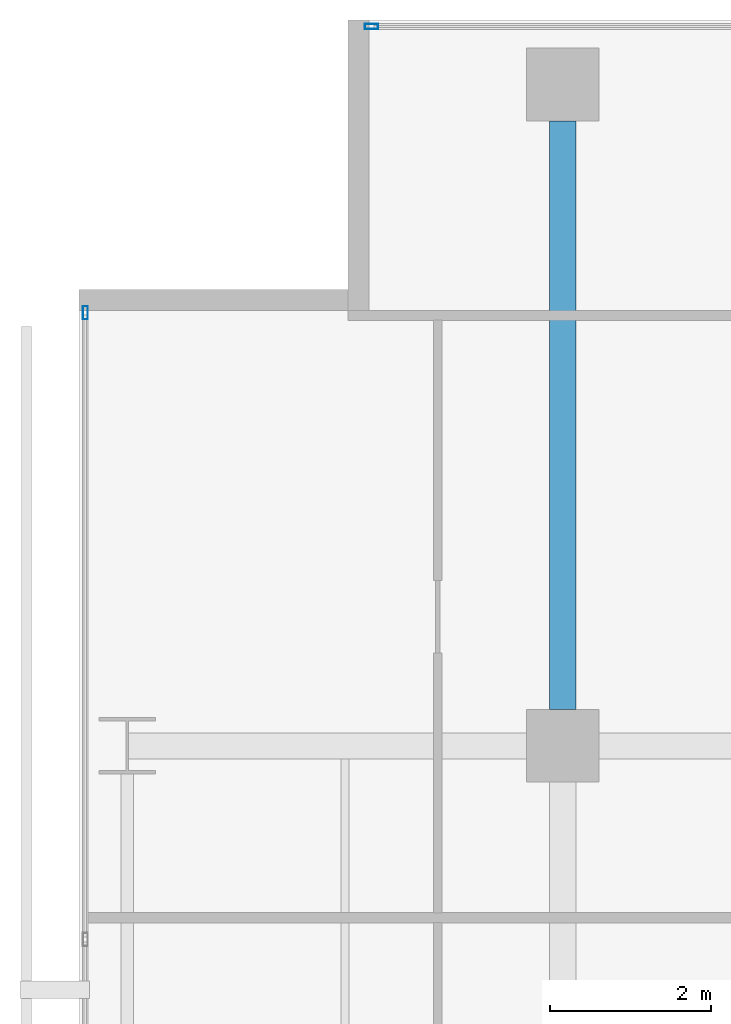
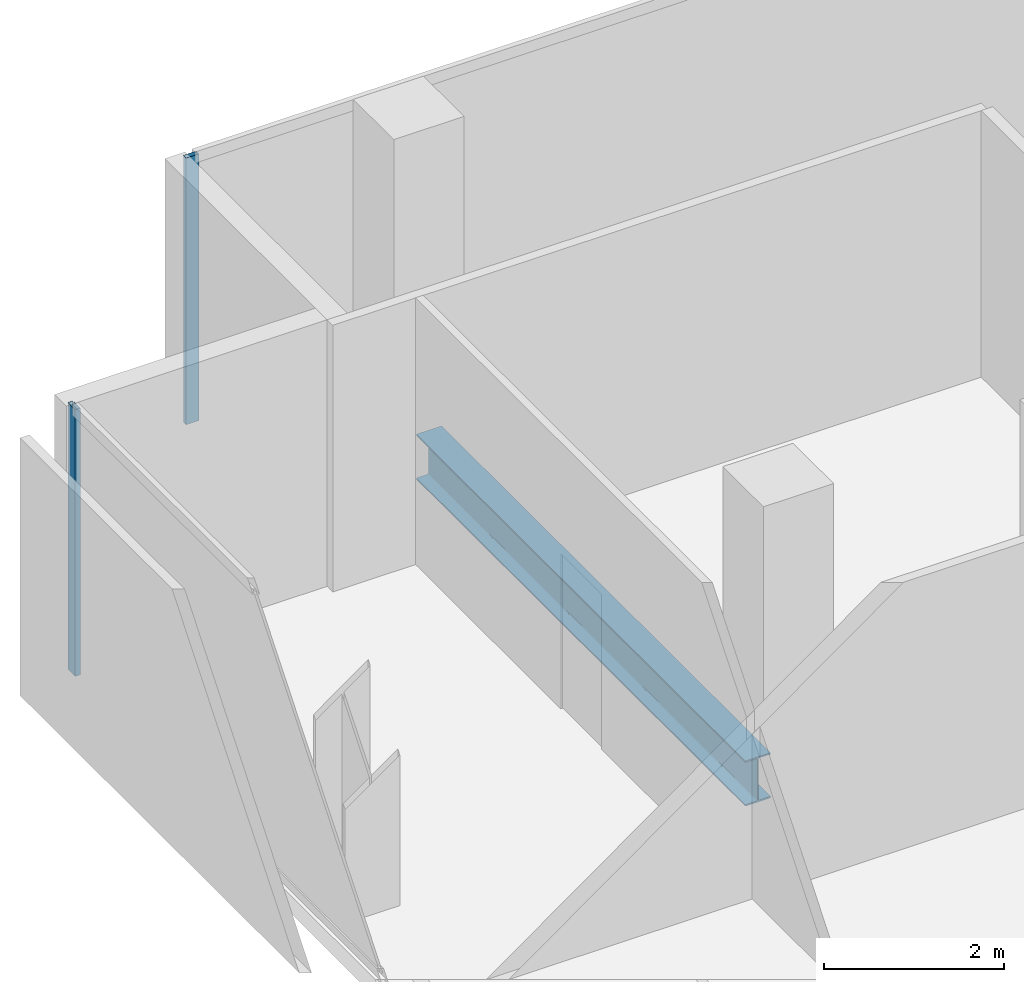
# One storey, part 25 of 40: 2 members, 1 beam, 2 elements without a shape of their own.
"""IFC4 building model written with IfcOpenShell, lengths in metres."""

from ifc_helpers import new_model, si_unit, direction, frame, origin, origin_2d, place, context, subcontext, project, spatial, hollow_rectangle, i_section, extrude, material, layer, layer_set, material_profile, profile_set, type_object, element, aggregate, save


model = new_model("IFC4")

# Units and contexts
model_context = context("Model", 3, precision=1e-05, world=origin(), true_north=direction((0.0, 1.0)))
body_context = subcontext(model_context, "Body", "Model", "MODEL_VIEW")
ifc_project = project(units=[si_unit("LENGTHUNIT", "METRE"), si_unit("AREAUNIT", "SQUARE_METRE"), si_unit("VOLUMEUNIT", "CUBIC_METRE"), si_unit("PLANEANGLEUNIT", "RADIAN"), si_unit("MASSUNIT", "GRAM", prefix="KILO")], contexts=[model_context])

# Site, building, storey
site_placement = place(None, origin())
site = spatial("IfcSite", under=ifc_project, at=site_placement, CompositionType="ELEMENT")
building_placement = place(site_placement, origin())
building = spatial("IfcBuilding", under=site, at=building_placement, Name="Maruvema Waterfront Hotel and Observation Tower", CompositionType="ELEMENT")
storey_placement = place(building_placement, frame((0.0, 0.0, 103.949951171875)))
storey = spatial("IfcBuildingStorey", under=building, at=storey_placement, Name="L25", CompositionType="ELEMENT", Elevation=103.949951171875)

# Curtain wall, member
ifc_material_1 = material(Name="Anodised bronze aluminium and solar-control low-E IGU", Category="aluminium")
ifc_layer = layer(ifc_material_1, 0.159912109375, Name="Zone 1 Bronze Inner Thermal Curtain Wall System CW-02")
ifc_layer_set = layer_set([ifc_layer], Name="Anodised bronze aluminium and solar-control low-E IGU")
curtain_wall_type = type_object("IfcCurtainWallType", Name="Zone 1 Bronze Inner Thermal Curtain Wall System CW-02", PredefinedType="USERDEFINED", material=ifc_layer_set)
curtain_wall_1_placement = place(storey_placement, origin())
curtain_wall_1 = element("IfcCurtainWall", 1, at=curtain_wall_1_placement, inside=storey, type_object=curtain_wall_type, Name="L25 Curtain Wall CW-L25-W", ObjectType="UNITISED CURTAIN WALL", PredefinedType="USERDEFINED")
ifc_material_2 = material(Name="Anodised architectural bronze aluminium", Category="aluminium")
ifc_material_profile_1 = material_profile(ifc_material_2, hollow_rectangle(XDim=0.06494140625, YDim=0.1650390625, WallThickness=0.00390625, at=origin_2d()), Name="ALU-M65x165")
ifc_profile_set_1 = profile_set([ifc_material_profile_1], Name="Anodised architectural bronze aluminium")
member_type = type_object("IfcMemberType", Name="Curtain Wall Primary Mullion ALU-M65x165", PredefinedType="MULLION", material=ifc_profile_set_1)
member_1_placement = place(storey_placement, frame((10.8798828125, 50.3701171875, 0.0), z_axis=(0.0, 0.0, 1.0), x_axis=(1.0, 0.0, 0.0)))
member_1 = element("IfcMember", 2, at=member_1_placement, type_object=member_type, Name="CW-02 mullion 1", PredefinedType="MULLION", context=body_context, shape_type="SweptSolid", body=[
    extrude(hollow_rectangle(XDim=0.06494140625, YDim=0.1650390625, WallThickness=0.00390625, at=origin_2d()), origin(), (0.0, 0.0, 1.0), 3.610107421875),
])
aggregate(curtain_wall_1, [member_1])

curtain_wall_2_placement = place(storey_placement, origin())
curtain_wall_2 = element("IfcCurtainWall", 3, at=curtain_wall_2_placement, inside=storey, type_object=curtain_wall_type, Name="L25 Curtain Wall CW-L25-NW", ObjectType="UNITISED CURTAIN WALL", PredefinedType="USERDEFINED")
member_2_placement = place(storey_placement, frame((14.429931640625, 53.919921875, 0.0), z_axis=(0.0, 0.0, 1.0), x_axis=(0.0, -1.0, 0.0)))
member_2 = element("IfcMember", 4, at=member_2_placement, type_object=member_type, Name="CW-02 mullion 2", PredefinedType="MULLION", context=body_context, shape_type="SweptSolid", body=[
    extrude(hollow_rectangle(XDim=0.06494140625, YDim=0.1650390625, WallThickness=0.00390625, at=origin_2d()), origin(), (0.0, 0.0, 1.0), 3.610107421875),
])
aggregate(curtain_wall_2, [member_2])

# Beam
ifc_material_3 = material(Name="Steel ASTM A572 Grade 50", Category="steel")
ifc_material_profile_2 = material_profile(ifc_material_3, i_section(OverallWidth=0.323974609375, OverallDepth=0.611083984375, WebThickness=0.0126953125, FlangeThickness=0.01904296875, FilletRadius=0.01806640625, at=origin_2d()), Name="W610x155.0")
ifc_profile_set_2 = profile_set([ifc_material_profile_2], Name="Steel ASTM A572 Grade 50")
beam_type = type_object("IfcBeamType", Name="Primary Floor Girder W610x155.0", PredefinedType="BEAM", material=ifc_profile_set_2)
beam_placement = place(storey_placement, frame((16.800048828125, 45.449951171875, -0.54541015625), z_axis=(0.0, 1.0, 0.0), x_axis=(-1.0, 0.0, 0.0)))
element("IfcBeam", 5, at=beam_placement, inside=storey, type_object=beam_type, Name="L25 Floor Girder NS-10", PredefinedType="BEAM", context=body_context, shape_type="SweptSolid", body=[
    extrude(i_section(OverallWidth=0.323974609375, OverallDepth=0.611083984375, WebThickness=0.0126953125, FlangeThickness=0.01904296875, FilletRadius=0.01806640625, at=origin_2d()), origin(), (0.0, 0.0, 1.0), 7.300048828125),
])

save(model, "model.ifc")
